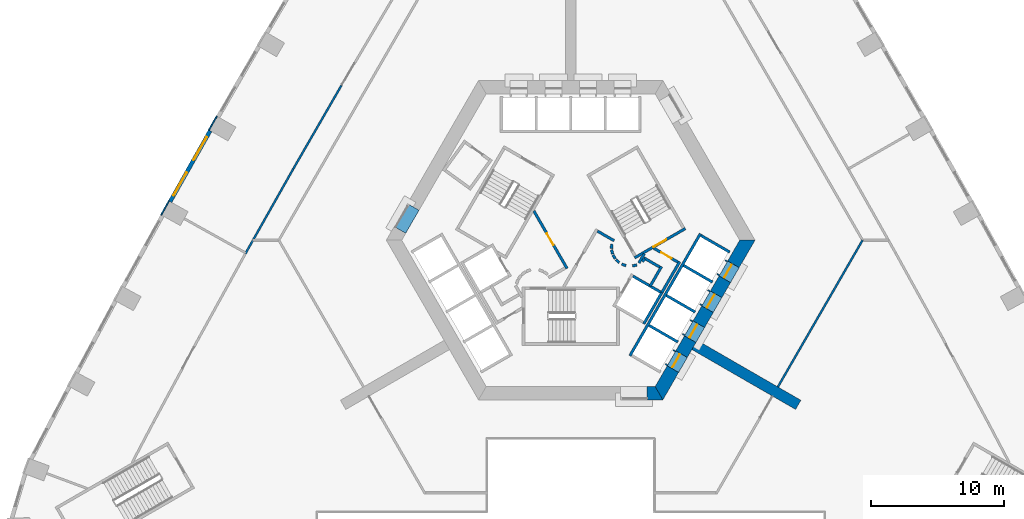
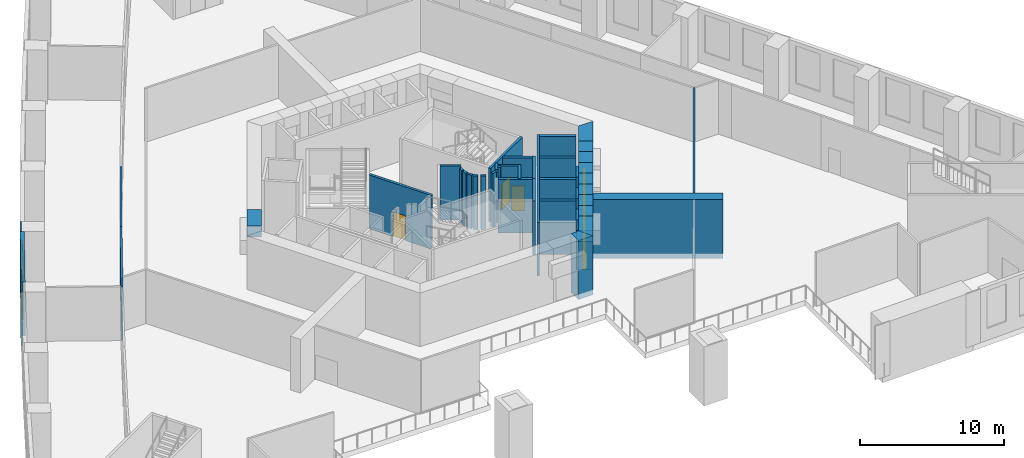
# One storey, part 4 of 16: 44 walls, 7 doors, 2 windows, 9 openings.
"""IFC4 building model written with IfcOpenShell, lengths in metres."""

from ifc_helpers import new_model, si_unit, direction, frame, frame_2d, origin, place, context, subcontext, project, spatial, polyline, rectangle, outline, extrude, material, layer, layer_set, type_object, element, fill, save


model = new_model("IFC4")

# Units and contexts
model_context = context("Model", 3, precision=1e-05, world=origin(), true_north=direction((0.0, 1.0)))
body_context = subcontext(model_context, "Body", "Model", "MODEL_VIEW")
ifc_project = project(units=[si_unit("LENGTHUNIT", "METRE"), si_unit("AREAUNIT", "SQUARE_METRE"), si_unit("VOLUMEUNIT", "CUBIC_METRE"), si_unit("PLANEANGLEUNIT", "RADIAN"), si_unit("MASSUNIT", "GRAM", prefix="KILO")], contexts=[model_context])

# Site, building, storey
site_placement = place(None, origin())
site = spatial("IfcSite", under=ifc_project, at=site_placement, CompositionType="ELEMENT")
building_placement = place(site_placement, origin())
building = spatial("IfcBuilding", under=site, at=building_placement, Name="Entoto Arch Interchange Tower", CompositionType="ELEMENT")
storey_placement = place(building_placement, frame((0.0, 0.0, 20.0)))
storey = spatial("IfcBuildingStorey", under=building, at=storey_placement, Name="L03", CompositionType="ELEMENT", Elevation=20.0)

# Walls
ifc_material_1 = material(Name="Concrete C60/75", Category="concrete")
ifc_layer_1 = layer(ifc_material_1, 0.800048828125)
ifc_layer_set_1 = layer_set([ifc_layer_1], Name="Concrete C60/75")
wall_type_1 = type_object("IfcWallType", Name="Buttress wall 800 C60/75", PredefinedType="SHEAR", material=ifc_layer_set_1)
wall_1_placement = place(storey_placement, frame((9.31005859375, -5.375, -0.449951171875), z_axis=(0.0, 0.0, 1.0), x_axis=(0.866017533419, -0.500013631625, 0.0)))
element("IfcWall", 1, at=wall_1_placement, inside=storey, type_object=wall_type_1, Name="Buttress wall SE L03", PredefinedType="SHEAR", context=body_context, shape_type="SweptSolid", body=[
    extrude(rectangle(XDim=8.999755859375, YDim=0.800048828125, at=frame_2d((4.5, 0.0))), origin(), (0.0, 0.0, 1.0), 5.0),
])
ifc_layer_2 = layer(ifc_material_1, 1.0)
ifc_layer_set_2 = layer_set([ifc_layer_2], Name="Concrete C60/75")
wall_type_2 = type_object("IfcWallType", Name="Core wall 1000 C60/75", PredefinedType="SHEAR", material=ifc_layer_set_2)
wall_2_placement = place(storey_placement, frame((0.0, 0.0, 3.60009765625)))
element("IfcWall", 2, at=wall_2_placement, inside=storey, type_object=wall_type_2, Name="Core wall lintel NW L03", PredefinedType="SHEAR", context=body_context, shape_type="SweptSolid", body=[
    extrude(outline(polyline([(-13.26708984375, 3.52001953125), (-12.402099609375, 3.02001953125), (-11.402099609375, 4.751953125), (-12.26708984375, 5.251953125), (-13.26708984375, 3.52001953125)])), origin(), (0.0, 0.0, 1.0), 0.949951171875),
])
wall_3_placement = place(storey_placement, frame((0.0, 0.0, -0.449951171875)))
element("IfcWall", 3, at=wall_3_placement, inside=storey, type_object=wall_type_2, Name="Core wall S L03", PredefinedType="SHEAR", context=body_context, shape_type="SweptSolid", body=[
    extrude(outline(polyline([(5.75, -8.5), (5.75, -9.5), (6.927978515625, -9.5), (6.35107421875, -8.5), (5.75, -8.5)])), origin(), (0.0, 0.0, 1.0), 5.0),
])
wall_4_placement = place(storey_placement, frame((0.0, 0.0, -0.449951171875)))
element("IfcWall", 4, at=wall_4_placement, inside=storey, type_object=wall_type_2, Name="Core wall SE L03", PredefinedType="SHEAR", context=body_context, shape_type="SweptSolid", body=[
    extrude(outline(polyline([(8.116943359375, -7.43994140625), (7.251953125, -6.93994140625), (6.35107421875, -8.5), (6.927978515625, -9.5), (8.116943359375, -7.43994140625)])), origin(), (0.0, 0.0, 1.0), 5.0),
])
wall_5_placement = place(storey_placement, frame((0.0, 0.0, -0.449951171875)))
element("IfcWall", 5, at=wall_5_placement, inside=storey, type_object=wall_type_2, Name="Core wall SE L03", PredefinedType="SHEAR", context=body_context, shape_type="SweptSolid", body=[
    extrude(outline(polyline([(9.4169921875, -5.18896484375), (8.551025390625, -4.68896484375), (7.902099609375, -5.81396484375), (8.76708984375, -6.31396484375), (9.4169921875, -5.18896484375)])), origin(), (0.0, 0.0, 1.0), 5.0),
])
wall_6_placement = place(storey_placement, frame((0.0, 0.0, -0.449951171875)))
element("IfcWall", 6, at=wall_6_placement, inside=storey, type_object=wall_type_2, Name="Core wall SE L03", PredefinedType="SHEAR", context=body_context, shape_type="SweptSolid", body=[
    extrude(outline(polyline([(10.717041015625, -2.93701171875), (9.85107421875, -2.43701171875), (9.200927734375, -3.56298828125), (10.06689453125, -4.06298828125), (10.717041015625, -2.93701171875)])), origin(), (0.0, 0.0, 1.0), 5.0),
])
wall_7_placement = place(storey_placement, frame((0.0, 0.0, -0.449951171875)))
element("IfcWall", 7, at=wall_7_placement, inside=storey, type_object=wall_type_2, Name="Core wall SE L03", PredefinedType="SHEAR", context=body_context, shape_type="SweptSolid", body=[
    extrude(outline(polyline([(12.01708984375, -0.68603515625), (11.15087890625, -0.18603515625), (10.5009765625, -1.31103515625), (11.366943359375, -1.81103515625), (12.01708984375, -0.68603515625)])), origin(), (0.0, 0.0, 1.0), 5.0),
])
wall_8_placement = place(storey_placement, frame((0.0, 0.0, -0.449951171875)))
element("IfcWall", 8, at=wall_8_placement, inside=storey, type_object=wall_type_2, Name="Core wall SE L03", PredefinedType="SHEAR", context=body_context, shape_type="SweptSolid", body=[
    extrude(outline(polyline([(11.801025390625, 0.93994140625), (12.6669921875, 0.43994140625), (13.85595703125, 2.5), (12.701904296875, 2.5), (11.801025390625, 0.93994140625)])), origin(), (0.0, 0.0, 1.0), 5.0),
])
wall_9_placement = place(storey_placement, frame((0.0, 0.0, 3.60009765625)))
element("IfcWall", 9, at=wall_9_placement, inside=storey, type_object=wall_type_2, Name="Core wall lintel SE L03", PredefinedType="SHEAR", context=body_context, shape_type="SweptSolid", body=[
    extrude(outline(polyline([(8.76708984375, -6.31396484375), (7.902099609375, -5.81396484375), (7.251953125, -6.93994140625), (8.116943359375, -7.43994140625), (8.76708984375, -6.31396484375)])), origin(), (0.0, 0.0, 1.0), 0.949951171875),
])
wall_10_placement = place(storey_placement, frame((0.0, 0.0, 3.60009765625)))
element("IfcWall", 10, at=wall_10_placement, inside=storey, type_object=wall_type_2, Name="Core wall lintel SE L03", PredefinedType="SHEAR", context=body_context, shape_type="SweptSolid", body=[
    extrude(outline(polyline([(10.06689453125, -4.06298828125), (9.200927734375, -3.56298828125), (8.551025390625, -4.68896484375), (9.4169921875, -5.18896484375), (10.06689453125, -4.06298828125)])), origin(), (0.0, 0.0, 1.0), 0.949951171875),
])
wall_11_placement = place(storey_placement, frame((0.0, 0.0, 3.60009765625)))
element("IfcWall", 11, at=wall_11_placement, inside=storey, type_object=wall_type_2, Name="Core wall lintel SE L03", PredefinedType="SHEAR", context=body_context, shape_type="SweptSolid", body=[
    extrude(outline(polyline([(11.366943359375, -1.81103515625), (10.5009765625, -1.31103515625), (9.85107421875, -2.43701171875), (10.717041015625, -2.93701171875), (11.366943359375, -1.81103515625)])), origin(), (0.0, 0.0, 1.0), 0.949951171875),
])
wall_12_placement = place(storey_placement, frame((0.0, 0.0, 3.60009765625)))
element("IfcWall", 12, at=wall_12_placement, inside=storey, type_object=wall_type_2, Name="Core wall lintel SE L03", PredefinedType="SHEAR", context=body_context, shape_type="SweptSolid", body=[
    extrude(outline(polyline([(12.6669921875, 0.43994140625), (11.801025390625, 0.93994140625), (11.15087890625, -0.18603515625), (12.01708984375, -0.68603515625), (12.6669921875, 0.43994140625)])), origin(), (0.0, 0.0, 1.0), 0.949951171875),
])

# Wall, opening, door
ifc_material_2 = material(Name="Concrete C40/50", Category="concrete")
ifc_layer_3 = layer(ifc_material_2, 1.199951171875)
ifc_layer_set_3 = layer_set([ifc_layer_3], Name="Concrete C40/50")
wall_type_3 = type_object("IfcWallType", Name="LIFT LANDING INFILL WALL", PredefinedType="STANDARD", material=ifc_layer_set_3)
wall_13_placement = place(storey_placement, frame((7.597900390625, -7.139892578125, 0.0), z_axis=(0.0, 0.0, 1.0), x_axis=(0.500362116554, 0.865816234728, 0.0)))
wall_13 = element("IfcWall", 13, at=wall_13_placement, inside=storey, type_object=wall_type_3, Name="Lift landing infill wall LR5 L03", PredefinedType="STANDARD", context=body_context, shape_type="SweptSolid", body=[
    extrude(rectangle(XDim=1.29931640625, YDim=1.199951171875, at=frame_2d((0.649658203125, 0.0))), origin(), (0.0, 0.0, 1.0), 2.39990234375),
])
opening_1_placement = place(wall_13_placement, frame((0.10009765625, 0.0, 0.0)))
opening_1 = element("IfcOpeningElement", 14, at=opening_1_placement, cuts=wall_13, Name="Opening LD-LR5-L03", PredefinedType="OPENING", context=body_context, shape_type="SweptSolid", body=[
    extrude(rectangle(XDim=1.10009765625, YDim=2.300048828125, at=frame_2d((0.550048828125, 1.14990234375))), frame((0.0, 0.60986328125, 0.0), z_axis=(0.0, -1.0, 0.0), x_axis=(1.0, 0.0, 0.0)), (0.0, 0.0, 1.0), 1.219970703125),
])
ifc_material_3 = material(Name="Stainless steel 1.4301 panels", Category="steel")
door_type_1 = type_object("IfcDoorType", Name="LIFT LANDING DOOR LD2 1100x2300", OperationType="SLIDING_TO_LEFT", PredefinedType="DOOR", material=ifc_material_3)
door_1_placement = place(opening_1_placement, origin())
door_1 = element("IfcDoor", 15, at=door_1_placement, inside=storey, type_object=door_type_1, Name="Lift landing door LR5 L03", OperationType="SLIDING_TO_LEFT", OverallHeight=2.300048828125, OverallWidth=1.10009765625, PredefinedType="DOOR", context=body_context, shape_type="SweptSolid", body=[
    extrude(rectangle(XDim=1.10009765625, YDim=2.300048828125, at=frame_2d((0.550048828125, 1.14990234375))), frame((0.0, 0.02490234375, 0.0), z_axis=(0.0, -1.0, 0.0), x_axis=(1.0, 0.0, 0.0)), (0.0, 0.0, 1.0), 0.050048828125),
])
fill(opening_1, door_1)

wall_14_placement = place(storey_placement, frame((8.89794921875, -4.888916015625, 0.0), z_axis=(0.0, 0.0, 1.0), x_axis=(0.500036693733, 0.866004217611, 0.0)))
wall_14 = element("IfcWall", 16, at=wall_14_placement, inside=storey, type_object=wall_type_3, Name="Lift landing infill wall LR6 L03", PredefinedType="STANDARD", context=body_context, shape_type="SweptSolid", body=[
    extrude(rectangle(XDim=1.30029296875, YDim=1.199951171875, at=frame_2d((0.650146484375, 0.0))), origin(), (0.0, 0.0, 1.0), 2.39990234375),
])
opening_2_placement = place(wall_14_placement, frame((0.10009765625, 0.0, 0.0)))
opening_2 = element("IfcOpeningElement", 17, at=opening_2_placement, cuts=wall_14, Name="Opening LD-LR6-L03", PredefinedType="OPENING", context=body_context, shape_type="SweptSolid", body=[
    extrude(rectangle(XDim=1.10009765625, YDim=2.300048828125, at=frame_2d((0.550048828125, 1.14990234375))), frame((0.0, 0.60986328125, 0.0), z_axis=(0.0, -1.0, 0.0), x_axis=(1.0, 0.0, 0.0)), (0.0, 0.0, 1.0), 1.219970703125),
])
door_2_placement = place(opening_2_placement, origin())
door_2 = element("IfcDoor", 18, at=door_2_placement, inside=storey, type_object=door_type_1, Name="Lift landing door LR6 L03", OperationType="SLIDING_TO_LEFT", OverallHeight=2.300048828125, OverallWidth=1.10009765625, PredefinedType="DOOR", context=body_context, shape_type="SweptSolid", body=[
    extrude(rectangle(XDim=1.10009765625, YDim=2.300048828125, at=frame_2d((0.550048828125, 1.14990234375))), frame((0.0, 0.02490234375, 0.0), z_axis=(0.0, -1.0, 0.0), x_axis=(1.0, 0.0, 0.0)), (0.0, 0.0, 1.0), 0.050048828125),
])
fill(opening_2, door_2)

wall_15_placement = place(storey_placement, frame((10.197998046875, -2.636962890625, 0.0), z_axis=(0.0, 0.0, 1.0), x_axis=(0.49989585183, 0.866085525409, 0.0)))
wall_15 = element("IfcWall", 19, at=wall_15_placement, inside=storey, type_object=wall_type_3, Name="Lift landing infill wall LR7 L03", PredefinedType="STANDARD", context=body_context, shape_type="SweptSolid", body=[
    extrude(rectangle(XDim=1.300048828125, YDim=1.199951171875, at=frame_2d((0.64990234375, 0.0))), origin(), (0.0, 0.0, 1.0), 2.39990234375),
])
opening_3_placement = place(wall_15_placement, frame((0.10009765625, 0.0, 0.0)))
opening_3 = element("IfcOpeningElement", 20, at=opening_3_placement, cuts=wall_15, Name="Opening LD-LR7-L03", PredefinedType="OPENING", context=body_context, shape_type="SweptSolid", body=[
    extrude(rectangle(XDim=1.10009765625, YDim=2.300048828125, at=frame_2d((0.550048828125, 1.14990234375))), frame((0.0, 0.60986328125, 0.0), z_axis=(0.0, -1.0, 0.0), x_axis=(1.0, 0.0, 0.0)), (0.0, 0.0, 1.0), 1.219970703125),
])
door_3_placement = place(opening_3_placement, origin())
door_3 = element("IfcDoor", 21, at=door_3_placement, inside=storey, type_object=door_type_1, Name="Lift landing door LR7 L03", OperationType="SLIDING_TO_LEFT", OverallHeight=2.300048828125, OverallWidth=1.10009765625, PredefinedType="DOOR", context=body_context, shape_type="SweptSolid", body=[
    extrude(rectangle(XDim=1.10009765625, YDim=2.300048828125, at=frame_2d((0.550048828125, 1.14990234375))), frame((0.0, 0.02490234375, 0.0), z_axis=(0.0, -1.0, 0.0), x_axis=(1.0, 0.0, 0.0)), (0.0, 0.0, 1.0), 0.050048828125),
])
fill(opening_3, door_3)

wall_16_placement = place(storey_placement, frame((11.498046875, -0.385009765625, 0.0), z_axis=(0.0, 0.0, 1.0), x_axis=(0.500221244143, 0.865897630733, 0.0)))
wall_16 = element("IfcWall", 22, at=wall_16_placement, inside=storey, type_object=wall_type_3, Name="Lift landing infill wall LR8 L03", PredefinedType="STANDARD", context=body_context, shape_type="SweptSolid", body=[
    extrude(rectangle(XDim=1.29931640625, YDim=1.199951171875, at=frame_2d((0.649658203125, 0.0))), origin(), (0.0, 0.0, 1.0), 2.39990234375),
])
opening_4_placement = place(wall_16_placement, frame((0.10009765625, 0.0, 0.0)))
opening_4 = element("IfcOpeningElement", 23, at=opening_4_placement, cuts=wall_16, Name="Opening LD-LR8-L03", PredefinedType="OPENING", context=body_context, shape_type="SweptSolid", body=[
    extrude(rectangle(XDim=1.10009765625, YDim=2.300048828125, at=frame_2d((0.550048828125, 1.14990234375))), frame((0.0, 0.60986328125, 0.0), z_axis=(0.0, -1.0, 0.0), x_axis=(1.0, 0.0, 0.0)), (0.0, 0.0, 1.0), 1.219970703125),
])
door_4_placement = place(opening_4_placement, origin())
door_4 = element("IfcDoor", 24, at=door_4_placement, inside=storey, type_object=door_type_1, Name="Lift landing door LR8 L03", OperationType="SLIDING_TO_LEFT", OverallHeight=2.300048828125, OverallWidth=1.10009765625, PredefinedType="DOOR", context=body_context, shape_type="SweptSolid", body=[
    extrude(rectangle(XDim=1.10009765625, YDim=2.300048828125, at=frame_2d((0.550048828125, 1.14990234375))), frame((0.0, 0.02490234375, 0.0), z_axis=(0.0, -1.0, 0.0), x_axis=(1.0, 0.0, 0.0)), (0.0, 0.0, 1.0), 0.050048828125),
])
fill(opening_4, door_4)

# Walls
ifc_layer_4 = layer(ifc_material_2, 0.199951171875)
ifc_layer_set_4 = layer_set([ifc_layer_4], Name="Concrete C40/50")
wall_type_4 = type_object("IfcWallType", Name="LIFT SHAFT WALL 200", PredefinedType="STANDARD", material=ifc_layer_set_4)
wall_17_placement = place(storey_placement, frame((5.491943359375, -3.7880859375, 0.0), z_axis=(0.0, 0.0, 1.0), x_axis=(0.500011755427, 0.866018616679, 0.0)))
element("IfcWall", 25, at=wall_17_placement, inside=storey, type_object=wall_type_4, Name="Shaft wall SE1 back", PredefinedType="STANDARD", context=body_context, shape_type="SweptSolid", body=[
    extrude(rectangle(XDim=2.80029296875, YDim=0.199951171875, at=frame_2d((1.400146484375, 0.0))), origin(), (0.0, 0.0, 1.0), 4.550048828125),
])
wall_18_placement = place(storey_placement, frame((4.677001953125, -0.199951171875, 0.0), z_axis=(0.0, 0.0, 1.0), x_axis=(0.865973769406, -0.500089422704, 0.0)))
element("IfcWall", 26, at=wall_18_placement, inside=storey, type_object=wall_type_4, Name="Shaft wall SE1 cross 2", PredefinedType="STANDARD", context=body_context, shape_type="SweptSolid", body=[
    extrude(rectangle(XDim=2.3994140625, YDim=0.199951171875, at=frame_2d((1.19970703125, 0.0))), origin(), (0.0, 0.0, 1.0), 4.550048828125),
])
wall_19_placement = place(storey_placement, frame((4.450927734375, -6.18994140625, 0.0), z_axis=(0.0, 0.0, 1.0), x_axis=(0.50000090737, 0.866024879913, 0.0)))
element("IfcWall", 27, at=wall_19_placement, inside=storey, type_object=wall_type_4, Name="Shaft wall SE3 front", PredefinedType="STANDARD", context=body_context, shape_type="SweptSolid", body=[
    extrude(rectangle(XDim=10.60009765625, YDim=0.199951171875, at=frame_2d((5.300048828125, 0.0))), origin(), (0.0, 0.0, 1.0), 4.550048828125),
])
for number, where, z_axis, x_axis, name in (
    (28, (5.887939453125, -3.902099609375, 0.0), (0.0, 0.0, 1.0), (0.866022959057, -0.500004234368, 0.0), "Shaft wall SE3 cross 2"),
    (29, (7.18798828125, -1.64990234375, 0.0), (0.0, 0.0, 1.0), (0.866022959057, -0.500004234368, 0.0), "Shaft wall SE3 cross 3"),
    (30, (8.488037109375, 0.60205078125, 0.0), (0.0, 0.0, 1.0), (0.866022959057, -0.500004234368, 0.0), "Shaft wall SE3 cross 4"),
):
    element("IfcWall", number, at=place(storey_placement, frame(where, z_axis=z_axis, x_axis=x_axis)), inside=storey, type_object=wall_type_4, Name=name, PredefinedType="STANDARD", context=body_context, shape_type="SweptSolid", body=[
        extrude(rectangle(XDim=2.5, YDim=0.199951171875, at=frame_2d((1.25, 0.0))), origin(), (0.0, 0.0, 1.0), 4.550048828125),
    ])
wall_20_placement = place(storey_placement, frame((9.7880859375, 2.85302734375, 0.0), z_axis=(0.0, 0.0, 1.0), x_axis=(0.865998541277, -0.500046524342, 0.0)))
element("IfcWall", 31, at=wall_20_placement, inside=storey, type_object=wall_type_4, Name="Shaft wall SE3 cross 5", PredefinedType="STANDARD", context=body_context, shape_type="SweptSolid", body=[
    extrude(rectangle(XDim=2.499755859375, YDim=0.199951171875, at=frame_2d((1.25, 0.0))), origin(), (0.0, 0.0, 1.0), 4.550048828125),
])
ifc_material_4 = material(Name="Gypsum board partition on steel studs", Category="steel")
ifc_layer_5 = layer(ifc_material_4, 0.14990234375)
ifc_layer_set_5 = layer_set([ifc_layer_5], Name="Gypsum board partition on steel studs")
wall_type_5 = type_object("IfcWallType", Name="PARTITION 150", PredefinedType="PARTITIONING", material=ifc_layer_set_5)
wall_21_placement = place(storey_placement, frame((-17.23193359375, 14.135986328125, 0.0), z_axis=(0.0, 0.0, 1.0), x_axis=(-0.499962371685, -0.866047127413, 0.0)))
element("IfcWall", 32, at=wall_21_placement, inside=storey, type_object=wall_type_5, Name="wall:L03:p063", PredefinedType="PARTITIONING", context=body_context, shape_type="SweptSolid", body=[
    extrude(rectangle(XDim=7.25244140625, YDim=0.14990234375, at=frame_2d((3.626220703125, 0.0))), origin(), (0.0, 0.0, 1.0), 4.550048828125),
])
wall_22_placement = place(storey_placement, frame((-20.85791015625, 7.85498046875, 0.0), z_axis=(0.0, 0.0, 1.0), x_axis=(-0.491659598838, -0.870787482036, 0.0)))
element("IfcWall", 33, at=wall_22_placement, inside=storey, type_object=wall_type_5, Name="wall:L03:p064", PredefinedType="PARTITIONING", context=body_context, shape_type="SweptSolid", body=[
    extrude(rectangle(XDim=7.32421875, YDim=0.14990234375, at=frame_2d((3.662109375, 0.0))), origin(), (0.0, 0.0, 1.0), 4.550048828125),
])
wall_23_placement = place(storey_placement, frame((21.93896484375, 2.5, 0.0), z_axis=(0.0, 0.0, 1.0), x_axis=(-0.499959763273, -0.866048633224, 0.0)))
element("IfcWall", 34, at=wall_23_placement, inside=storey, type_object=wall_type_5, Name="wall:L03:p071", PredefinedType="PARTITIONING", context=body_context, shape_type="SweptSolid", body=[
    extrude(rectangle(XDim=12.73486328125, YDim=0.14990234375, at=frame_2d((6.367431640625, 0.0))), origin(), (0.0, 0.0, 1.0), 4.550048828125),
])
ifc_layer_6 = layer(ifc_material_4, 0.199951171875)
ifc_layer_set_6 = layer_set([ifc_layer_6], Name="Gypsum board partition on steel studs")
wall_type_6 = type_object("IfcWallType", Name="PARTITION 200", PredefinedType="PARTITIONING", material=ifc_layer_set_6)
wall_24_placement = place(storey_placement, frame((5.389892578125, 0.89794921875, 0.0), z_axis=(0.0, 0.0, 1.0), x_axis=(0.673828488714, 0.738887791073, 0.0)))
element("IfcWall", 35, at=wall_24_placement, inside=storey, type_object=wall_type_6, Name="wall:L03:p001", PredefinedType="PARTITIONING", context=body_context, shape_type="SweptSolid", body=[
    extrude(rectangle(XDim=0.2626953125, YDim=0.199951171875, at=frame_2d((0.13134765625, 0.0))), origin(), (0.0, 0.0, 1.0), 4.550048828125),
])
wall_25_placement = place(storey_placement, frame((5.4990234375, 1.172119140625, 0.0), z_axis=(0.0, 0.0, 1.0), x_axis=(0.866333505267, -0.499465972466, 0.0)))
element("IfcWall", 36, at=wall_25_placement, inside=storey, type_object=wall_type_6, Name="wall:L03:p002", PredefinedType="PARTITIONING", context=body_context, shape_type="SweptSolid", body=[
    extrude(rectangle(XDim=1.37353515625, YDim=0.199951171875, at=frame_2d((0.686767578125, 0.0))), origin(), (0.0, 0.0, 1.0), 4.550048828125),
])
wall_26_placement = place(storey_placement, frame((6.825927734375, 0.52197265625, 0.0), z_axis=(0.0, 0.0, 1.0), x_axis=(-0.500016722714, -0.866015748706, 0.0)))
element("IfcWall", 37, at=wall_26_placement, inside=storey, type_object=wall_type_6, Name="wall:L03:p003", PredefinedType="PARTITIONING", context=body_context, shape_type="SweptSolid", body=[
    extrude(rectangle(XDim=1.69970703125, YDim=0.199951171875, at=frame_2d((0.849853515625, 0.0))), origin(), (0.0, 0.0, 1.0), 4.550048828125),
])
wall_27_placement = place(storey_placement, frame((8.19189453125, 0.887939453125, 0.0), z_axis=(0.0, 0.0, 1.0), x_axis=(-0.499940625693, -0.866059680843, 0.0)))
element("IfcWall", 38, at=wall_27_placement, inside=storey, type_object=wall_type_6, Name="wall:L03:p004", PredefinedType="PARTITIONING", context=body_context, shape_type="SweptSolid", body=[
    extrude(rectangle(XDim=2.679931640625, YDim=0.199951171875, at=frame_2d((1.33984375, 0.0))), origin(), (0.0, 0.0, 1.0), 4.550048828125),
])
wall_28_placement = place(storey_placement, frame((5.135009765625, 0.79296875, 0.0), z_axis=(0.0, 0.0, 1.0), x_axis=(0.499526442893, 0.866298639529, 0.0)))
element("IfcWall", 39, at=wall_28_placement, inside=storey, type_object=wall_type_6, Name="wall:L03:p005", PredefinedType="PARTITIONING", context=body_context, shape_type="SweptSolid", body=[
    extrude(rectangle(XDim=0.790771484375, YDim=0.199951171875, at=frame_2d((0.3955078125, 0.0))), origin(), (0.0, 0.0, 1.0), 4.550048828125),
])

# Wall, opening, door
wall_29_placement = place(storey_placement, frame((6.25, 1.89404296875, 0.0), z_axis=(0.0, 0.0, 1.0), x_axis=(0.866043184279, -0.499969202016, 0.0)))
wall_29 = element("IfcWall", 40, at=wall_29_placement, inside=storey, type_object=wall_type_6, Name="wall:L03:p006", PredefinedType="PARTITIONING", context=body_context, shape_type="SweptSolid", body=[
    extrude(rectangle(XDim=2.084228515625, YDim=0.199951171875, at=frame_2d((1.0419921875, 0.0))), origin(), (0.0, 0.0, 1.0), 4.550048828125),
])
opening_5_placement = place(wall_29_placement, frame((0.64208984375, 0.0, 0.0)))
opening_5 = element("IfcOpeningElement", 41, at=opening_5_placement, cuts=wall_29, Name="Opening L03-D14", PredefinedType="OPENING", context=body_context, shape_type="SweptSolid", body=[
    extrude(rectangle(XDim=0.89990234375, YDim=2.10009765625, at=frame_2d((0.449951171875, 1.050048828125))), frame((0.0, 0.10986328125, 0.0), z_axis=(0.0, -1.0, 0.0), x_axis=(1.0, 0.0, 0.0)), (0.0, 0.0, 1.0), 0.219970703125),
])
ifc_material_5 = material(Name="Timber door leaf in Steel S235 frame", Category="steel")
door_type_2 = type_object("IfcDoorType", Name="DOOR DS-09 900x2100", OperationType="SINGLE_SWING_LEFT", PredefinedType="DOOR", material=ifc_material_5)
door_5_placement = place(opening_5_placement, origin())
door_5 = element("IfcDoor", 42, at=door_5_placement, inside=storey, type_object=door_type_2, Name="door:L03:14", OperationType="SINGLE_SWING_LEFT", OverallHeight=2.10009765625, OverallWidth=0.89990234375, PredefinedType="DOOR", context=body_context, shape_type="SweptSolid", body=[
    extrude(rectangle(XDim=0.89990234375, YDim=2.10009765625, at=frame_2d((0.449951171875, 1.050048828125))), frame((0.0, 0.02490234375, 0.0), z_axis=(0.0, -1.0, 0.0), x_axis=(1.0, 0.0, 0.0)), (0.0, 0.0, 1.0), 0.050048828125),
])
fill(opening_5, door_5)

# Walls
wall_30_placement = place(storey_placement, frame((3.0791015625, 2.198974609375, 0.0), z_axis=(0.0, 0.0, 1.0), x_axis=(-0.047771483479, -0.998858290933, 0.0)))
element("IfcWall", 43, at=wall_30_placement, inside=storey, type_object=wall_type_6, Name="wall:L03:p016", PredefinedType="PARTITIONING", context=body_context, shape_type="SweptSolid", body=[
    extrude(rectangle(XDim=0.33740234375, YDim=0.199951171875, at=frame_2d((0.168701171875, 0.0))), origin(), (0.0, 0.0, 1.0), 4.550048828125),
])
wall_31_placement = place(storey_placement, frame((3.070068359375, 1.785888671875, 0.0), z_axis=(0.0, 0.0, 1.0), x_axis=(0.242705583207, -0.970099994784, 0.0)))
element("IfcWall", 44, at=wall_31_placement, inside=storey, type_object=wall_type_6, Name="wall:L03:p017", PredefinedType="PARTITIONING", context=body_context, shape_type="SweptSolid", body=[
    extrude(rectangle(XDim=0.337890625, YDim=0.199951171875, at=frame_2d((0.1689453125, 0.0))), origin(), (0.0, 0.0, 1.0), 4.550048828125),
])
for number, where, z_axis, x_axis, name in (
    (45, (3.181884765625, 1.387939453125, 0.0), (0.0, 0.0, 1.0), (0.512474702713, -0.85870232274, 0.0), "wall:L03:p018"),
    (46, (3.404052734375, 1.0390625, 0.0), (0.0, 0.0, 1.0), (0.740267097712, -0.672312891476, 0.0), "wall:L03:p019"),
):
    element("IfcWall", number, at=place(storey_placement, frame(where, z_axis=z_axis, x_axis=x_axis)), inside=storey, type_object=wall_type_6, Name=name, PredefinedType="PARTITIONING", context=body_context, shape_type="SweptSolid", body=[
        extrude(rectangle(XDim=0.337646484375, YDim=0.199951171875, at=frame_2d((0.1689453125, 0.0))), origin(), (0.0, 0.0, 1.0), 4.550048828125),
    ])
wall_32_placement = place(storey_placement, frame((3.837890625, 0.701904296875, 0.0), z_axis=(0.0, 0.0, 1.0), x_axis=(0.941035081519, -0.338308993895, 0.0)))
element("IfcWall", 47, at=wall_32_placement, inside=storey, type_object=wall_type_6, Name="wall:L03:p020", PredefinedType="PARTITIONING", context=body_context, shape_type="SweptSolid", body=[
    extrude(rectangle(XDim=0.3369140625, YDim=0.199951171875, at=frame_2d((0.16845703125, 0.0))), origin(), (0.0, 0.0, 1.0), 4.550048828125),
])
wall_33_placement = place(storey_placement, frame((4.64404296875, 0.56396484375, 0.0), z_axis=(0.0, 0.0, 1.0), x_axis=(0.969929076366, 0.243387729394, 0.0)))
element("IfcWall", 48, at=wall_33_placement, inside=storey, type_object=wall_type_6, Name="wall:L03:p021", PredefinedType="PARTITIONING", context=body_context, shape_type="SweptSolid", body=[
    extrude(rectangle(XDim=0.337158203125, YDim=0.199951171875, at=frame_2d((0.16845703125, 0.0))), origin(), (0.0, 0.0, 1.0), 4.550048828125),
])
wall_34_placement = place(storey_placement, frame((2.011962890625, 3.18603515625, 0.0), z_axis=(0.0, 0.0, 1.0), x_axis=(0.865891012941, -0.500232699559, 0.0)))
element("IfcWall", 49, at=wall_34_placement, inside=storey, type_object=wall_type_6, Name="wall:L03:p023", PredefinedType="PARTITIONING", context=body_context, shape_type="SweptSolid", body=[
    extrude(rectangle(XDim=1.449462890625, YDim=0.199951171875, at=frame_2d((0.724609375, 0.0))), origin(), (0.0, 0.0, 1.0), 4.550048828125),
])

# Wall, opening, door
wall_35_placement = place(storey_placement, frame((-2.77099609375, 4.699951171875, 0.0), z_axis=(0.0, 0.0, 1.0), x_axis=(0.499969479948, -0.866043023828, 0.0)))
wall_35 = element("IfcWall", 50, at=wall_35_placement, inside=storey, type_object=wall_type_6, Name="wall:L03:p031", PredefinedType="PARTITIONING", context=body_context, shape_type="SweptSolid", body=[
    extrude(rectangle(XDim=4.990478515625, YDim=0.199951171875, at=frame_2d((2.4951171875, 0.0))), origin(), (0.0, 0.0, 1.0), 4.550048828125),
])
opening_6_placement = place(wall_35_placement, frame((1.945068359375, 0.0, 0.0)))
opening_6 = element("IfcOpeningElement", 51, at=opening_6_placement, cuts=wall_35, Name="Opening L03-D13", PredefinedType="OPENING", context=body_context, shape_type="SweptSolid", body=[
    extrude(rectangle(XDim=1.0, YDim=2.10009765625, at=frame_2d((0.5, 1.050048828125))), frame((0.0, 0.10986328125, 0.0), z_axis=(0.0, -1.0, 0.0), x_axis=(1.0, 0.0, 0.0)), (0.0, 0.0, 1.0), 0.219970703125),
])
ifc_material_6 = material(Name="Fire-rated Steel S235 door and frame", Category="steel")
door_type_3 = type_object("IfcDoorType", Name="DOOR FD-10 1000x2100", OperationType="SINGLE_SWING_LEFT", PredefinedType="DOOR", material=ifc_material_6)
door_6_placement = place(opening_6_placement, origin())
door_6 = element("IfcDoor", 52, at=door_6_placement, inside=storey, type_object=door_type_3, Name="door:L03:13", OperationType="SINGLE_SWING_RIGHT", OverallHeight=2.10009765625, OverallWidth=1.0, PredefinedType="DOOR", context=body_context, shape_type="SweptSolid", body=[
    extrude(rectangle(XDim=1.0, YDim=2.10009765625, at=frame_2d((0.5, 1.050048828125))), frame((0.0, 0.02490234375, 0.0), z_axis=(0.0, -1.0, 0.0), x_axis=(1.0, 0.0, 0.0)), (0.0, 0.0, 1.0), 0.050048828125),
])
fill(opening_6, door_6)

ifc_layer_7 = layer(ifc_material_2, 0.199951171875)
ifc_layer_set_7 = layer_set([ifc_layer_7], Name="Concrete C40/50")
wall_type_7 = type_object("IfcWallType", Name="STAIR ENCLOSURE WALL 200", PredefinedType="STANDARD", material=ifc_layer_set_7)
wall_36_placement = place(storey_placement, frame((4.805908203125, 1.176025390625, 0.0), z_axis=(0.0, 0.0, 1.0), x_axis=(0.866059941101, 0.499940174841, 0.0)))
wall_36 = element("IfcWall", 53, at=wall_36_placement, inside=storey, type_object=wall_type_7, Name="Stair wall ST-NE near", PredefinedType="STANDARD", context=body_context, shape_type="SweptSolid", body=[
    extrude(rectangle(XDim=4.400390625, YDim=0.199951171875, at=frame_2d((2.2001953125, 0.0))), origin(), (0.0, 0.0, 1.0), 4.550048828125),
])
opening_7_placement = place(wall_36_placement, frame((1.64990234375, 0.0, 0.0)))
opening_7 = element("IfcOpeningElement", 54, at=opening_7_placement, cuts=wall_36, Name="Opening SD-ST-NE-L03-E", PredefinedType="OPENING", context=body_context, shape_type="SweptSolid", body=[
    extrude(rectangle(XDim=1.10009765625, YDim=2.199951171875, at=frame_2d((0.550048828125, 1.10009765625))), frame((0.0, 0.10986328125, 0.0), z_axis=(0.0, -1.0, 0.0), x_axis=(1.0, 0.0, 0.0)), (0.0, 0.0, 1.0), 0.219970703125),
])
ifc_material_7 = material(Name="Steel S235", Category="steel")
door_type_4 = type_object("IfcDoorType", Name="STAIR DOOR SD1 1100x2200", OperationType="SINGLE_SWING_LEFT", PredefinedType="DOOR", material=ifc_material_7)
door_7_placement = place(opening_7_placement, origin())
door_7 = element("IfcDoor", 55, at=door_7_placement, inside=storey, type_object=door_type_4, Name="Stair door ST-NE L03 end", OperationType="SINGLE_SWING_LEFT", OverallHeight=2.199951171875, OverallWidth=1.10009765625, PredefinedType="DOOR", context=body_context, shape_type="SweptSolid", body=[
    extrude(rectangle(XDim=1.10009765625, YDim=2.199951171875, at=frame_2d((0.550048828125, 1.10009765625))), frame((0.0, 0.02490234375, 0.0), z_axis=(0.0, -1.0, 0.0), x_axis=(1.0, 0.0, 0.0)), (0.0, 0.0, 1.0), 0.050048828125),
])
fill(opening_7, door_7)

# Wall, openings, windows
ifc_material_8 = material(Name="Welded tuff (ignimbrite) cladding, warm buff", Category="masonry")
ifc_layer_8 = layer(ifc_material_8, 0.300048828125)
ifc_layer_set_8 = layer_set([ifc_layer_8], Name="Welded tuff (ignimbrite) cladding, warm buff")
wall_type_8 = type_object("IfcWallType", Name="STONE INFILL WALL 300", PredefinedType="STANDARD", material=ifc_layer_set_8)
wall_37_placement = place(storey_placement, frame((-27.10107421875, 10.72998046875, 0.0), z_axis=(0.0, 0.0, 1.0), x_axis=(-0.491661677717, -0.870786308267, 0.0)))
wall_37 = element("IfcWall", 56, at=wall_37_placement, inside=storey, type_object=wall_type_8, Name="Facade wall NW-06 L03", PredefinedType="STANDARD", context=body_context, shape_type="SweptSolid", body=[
    extrude(rectangle(XDim=6.1220703125, YDim=0.300048828125, at=frame_2d((3.06103515625, 0.0))), origin(), (0.0, 0.0, 1.0), 4.550048828125),
])
opening_8_placement = place(wall_37_placement, frame((0.531005859375, 0.0, 1.0)))
opening_8 = element("IfcOpeningElement", 57, at=opening_8_placement, cuts=wall_37, Name="Opening WP-E", PredefinedType="OPENING", context=body_context, shape_type="SweptSolid", body=[
    extrude(rectangle(XDim=2.0, YDim=3.199951171875, at=frame_2d((1.0, 1.60009765625))), frame((0.0, 0.16015625, 0.0), z_axis=(0.0, -1.0, 0.0), x_axis=(1.0, 0.0, 0.0)), (0.0, 0.0, 1.0), 0.320068359375),
])
opening_9_placement = place(wall_37_placement, frame((3.592041015625, 0.0, 1.0)))
opening_9 = element("IfcOpeningElement", 58, at=opening_9_placement, cuts=wall_37, Name="Opening WP-E", PredefinedType="OPENING", context=body_context, shape_type="SweptSolid", body=[
    extrude(rectangle(XDim=2.0, YDim=3.199951171875, at=frame_2d((1.0, 1.60009765625))), frame((0.0, 0.16015625, 0.0), z_axis=(0.0, -1.0, 0.0), x_axis=(1.0, 0.0, 0.0)), (0.0, 0.0, 1.0), 0.320068359375),
])
ifc_material_9 = material(Name="Clear glass, low-e double glazed", Category="glass")
window_type = type_object("IfcWindowType", Name="WINDOW WP-E 2000x3200", PartitioningType="DOUBLE_PANEL_VERTICAL", PredefinedType="WINDOW", material=ifc_material_9)
window_1_placement = place(opening_8_placement, origin())
window_1 = element("IfcWindow", 59, at=window_1_placement, inside=storey, type_object=window_type, Name="Window WP-E NW-06 L03", OverallHeight=3.199951171875, OverallWidth=2.0, PartitioningType="SINGLE_PANEL", PredefinedType="WINDOW", context=body_context, shape_type="SweptSolid", body=[
    extrude(rectangle(XDim=2.0, YDim=3.199951171875, at=frame_2d((1.0, 1.60009765625))), frame((0.0, 0.030029296875, 0.0), z_axis=(0.0, -1.0, 0.0), x_axis=(1.0, 0.0, 0.0)), (0.0, 0.0, 1.0), 0.06005859375),
])
fill(opening_8, window_1)
window_2_placement = place(opening_9_placement, origin())
window_2 = element("IfcWindow", 60, at=window_2_placement, inside=storey, type_object=window_type, Name="Window WP-E NW-06 L03", OverallHeight=3.199951171875, OverallWidth=2.0, PartitioningType="SINGLE_PANEL", PredefinedType="WINDOW", context=body_context, shape_type="SweptSolid", body=[
    extrude(rectangle(XDim=2.0, YDim=3.199951171875, at=frame_2d((1.0, 1.60009765625))), frame((0.0, 0.030029296875, 0.0), z_axis=(0.0, -1.0, 0.0), x_axis=(1.0, 0.0, 0.0)), (0.0, 0.0, 1.0), 0.06005859375),
])
fill(opening_9, window_2)

# Walls
ifc_layer_9 = layer(ifc_material_8, 0.10009765625)
ifc_layer_set_9 = layer_set([ifc_layer_9], Name="Welded tuff (ignimbrite) cladding, warm buff")
wall_type_9 = type_object("IfcWallType", Name="STONE PIER CLADDING 100", PredefinedType="STANDARD", material=ifc_layer_set_9)
wall_38_placement = place(storey_placement, frame((-26.595947265625, 11.822021484375, 0.0), z_axis=(0.0, 0.0, 1.0), x_axis=(-0.495854054996, -0.868405870629, 0.0)))
element("IfcWall", 61, at=wall_38_placement, inside=storey, type_object=wall_type_9, Name="Stone pier NW06 L03", PredefinedType="STANDARD", context=body_context, shape_type="SweptSolid", body=[
    extrude(rectangle(XDim=1.199951171875, YDim=0.10009765625, at=frame_2d((0.60009765625, 0.0))), origin(), (0.0, 0.0, 1.0), 4.550048828125),
])
wall_39_placement = place(storey_placement, frame((-30.199951171875, 5.449951171875, 0.0), z_axis=(0.0, 0.0, 1.0), x_axis=(-0.486817526853, -0.873503689488, 0.0)))
element("IfcWall", 62, at=wall_39_placement, inside=storey, type_object=wall_type_9, Name="Stone pier NW07 L03", PredefinedType="STANDARD", context=body_context, shape_type="SweptSolid", body=[
    extrude(rectangle(XDim=1.19970703125, YDim=0.10009765625, at=frame_2d((0.599853515625, 0.0))), origin(), (0.0, 0.0, 1.0), 4.550048828125),
])

save(model, "model.ifc")
